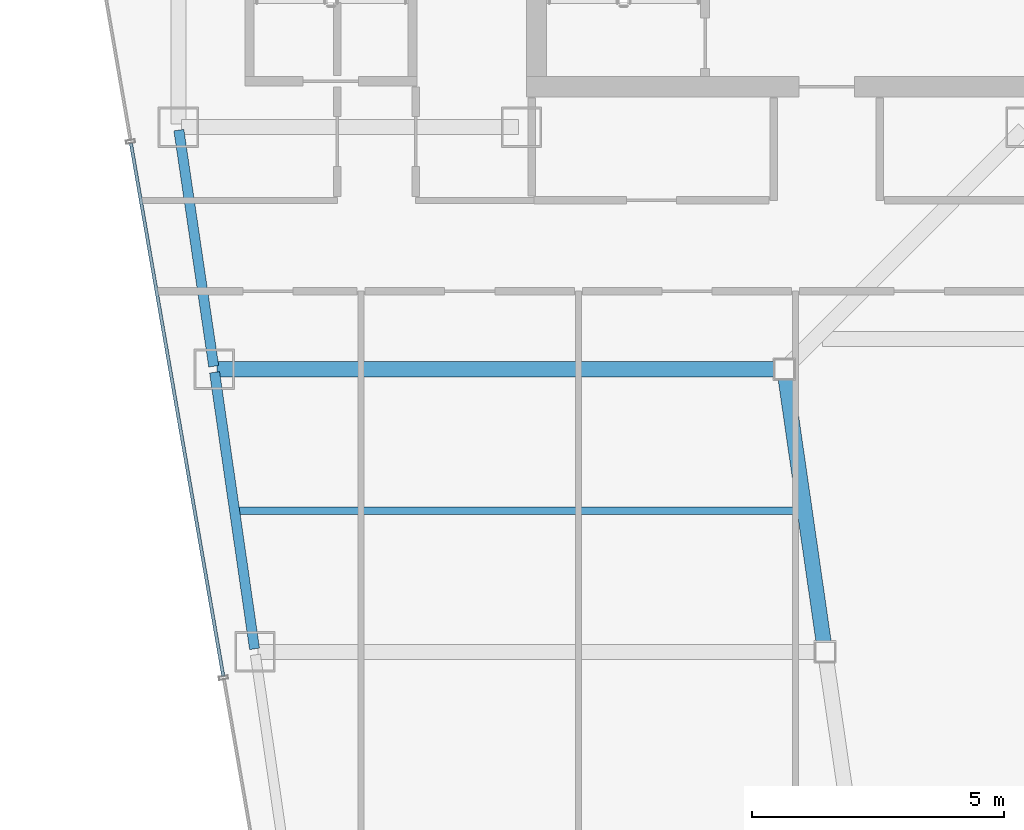
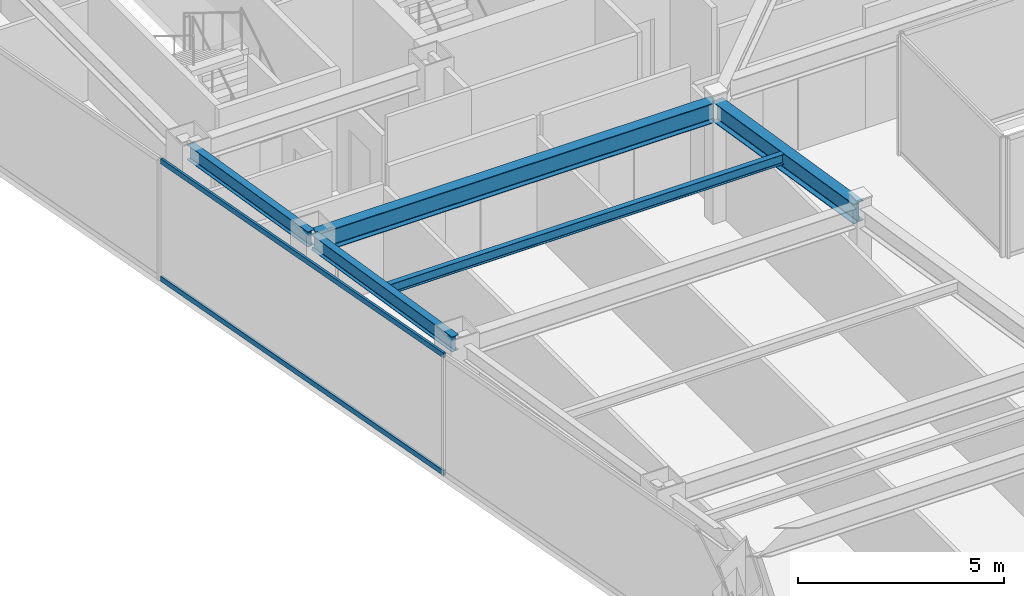
# One storey, part 7 of 33: 5 beams, 2 members, 1 element without a shape of its own.
"""IFC4 building model written with IfcOpenShell, lengths in metres."""

from ifc_helpers import new_model, si_unit, direction, frame, origin, origin_2d, place, context, subcontext, project, spatial, hollow_rectangle, i_section, extrude, material, material_profile, profile_set, type_object, element, aggregate, save


model = new_model("IFC4")

# Units and contexts
model_context = context("Model", 3, precision=1e-05, world=origin(), true_north=direction((0.0, 1.0)))
body_context = subcontext(model_context, "Body", "Model", "MODEL_VIEW")
ifc_project = project(units=[si_unit("LENGTHUNIT", "METRE"), si_unit("AREAUNIT", "SQUARE_METRE"), si_unit("VOLUMEUNIT", "CUBIC_METRE"), si_unit("PLANEANGLEUNIT", "RADIAN"), si_unit("MASSUNIT", "GRAM", prefix="KILO")], contexts=[model_context])

# Site, building, storey
site_placement = place(None, origin())
site = spatial("IfcSite", under=ifc_project, at=site_placement, CompositionType="ELEMENT")
building_placement = place(site_placement, origin())
building = spatial("IfcBuilding", under=site, at=building_placement, Name="Saevonmaru Cultural Tower", CompositionType="ELEMENT")
storey_placement = place(building_placement, frame((0.0, 0.0, 234.39990234375)))
storey = spatial("IfcBuildingStorey", under=building, at=storey_placement, Name="L54", CompositionType="ELEMENT", Elevation=234.39990234375)

# Beams
ifc_material_1 = material(Name="Steel SM355", Category="steel")
ifc_material_profile_1 = material_profile(ifc_material_1, i_section(OverallWidth=0.300048828125, OverallDepth=0.587890625, WebThickness=0.011962890625, FlangeThickness=0.02001953125, FilletRadius=0.02392578125, at=origin_2d()), Name="H-588x300x12x20")
ifc_profile_set_1 = profile_set([ifc_material_profile_1], Name="Steel SM355")
beam_type_1 = type_object("IfcBeamType", Name="BM-G-H588", PredefinedType="BEAM", material=ifc_profile_set_1)
beam_1_placement = place(storey_placement, frame((19.6083984375, 32.059326171875, 3.256103515625), z_axis=(-0.142964121327, 0.989727871697, 0.0), x_axis=(-0.989727871697, -0.142964121327, 0.0)))
element("IfcBeam", 1, at=beam_1_placement, inside=storey, type_object=beam_type_1, Name="L54 West Atrium Girder 3", PredefinedType="BEAM", context=body_context, shape_type="SweptSolid", body=[
    extrude(i_section(OverallWidth=0.300048828125, OverallDepth=0.587890625, WebThickness=0.011962890625, FlangeThickness=0.02001953125, FilletRadius=0.02392578125, at=origin_2d()), origin(), (0.0, 0.0, 1.0), 5.5380859375),
])
beam_2_placement = place(storey_placement, frame((7.568115234375, 37.60009765625, 3.256103515625), z_axis=(1.0, 0.0, 0.0), x_axis=(0.0, 1.0, 0.0)))
element("IfcBeam", 2, at=beam_2_placement, inside=storey, type_object=beam_type_1, Name="L54 West Wing Transverse Girder 4", PredefinedType="BEAM", context=body_context, shape_type="SweptSolid", body=[
    extrude(i_section(OverallWidth=0.300048828125, OverallDepth=0.587890625, WebThickness=0.011962890625, FlangeThickness=0.02001953125, FilletRadius=0.02392578125, at=origin_2d()), origin(), (0.0, 0.0, 1.0), 11.179931640625),
])
ifc_material_profile_2 = material_profile(ifc_material_1, i_section(OverallWidth=0.14990234375, OverallDepth=0.300048828125, WebThickness=0.006591796875, FlangeThickness=0.009033203125, FilletRadius=0.012939453125, at=origin_2d()), Name="H-300x150x6.5x9")
ifc_profile_set_2 = profile_set([ifc_material_profile_2], Name="Steel SM355")
beam_type_2 = type_object("IfcBeamType", Name="BM-J-H300", PredefinedType="JOIST", material=ifc_profile_set_2)
beam_3_placement = place(storey_placement, frame((7.972412109375, 34.800048828125, 3.400146484375), z_axis=(1.0, 0.0, 0.0), x_axis=(0.0, 1.0, 0.0)))
element("IfcBeam", 3, at=beam_3_placement, inside=storey, type_object=beam_type_2, Name="L54 West Wing Floor Joist 3", PredefinedType="JOIST", context=body_context, shape_type="SweptSolid", body=[
    extrude(i_section(OverallWidth=0.14990234375, OverallDepth=0.300048828125, WebThickness=0.006591796875, FlangeThickness=0.009033203125, FilletRadius=0.012939453125, at=origin_2d()), origin(), (0.0, 0.0, 1.0), 11.08203125),
])
ifc_material_profile_3 = material_profile(ifc_material_1, i_section(OverallWidth=0.199951171875, OverallDepth=0.449951171875, WebThickness=0.009033203125, FlangeThickness=0.013916015625, FilletRadius=0.01806640625, at=origin_2d()), Name="H-450x200x9x14")
ifc_profile_set_3 = profile_set([ifc_material_profile_3], Name="Steel SM355")
beam_type_3 = type_object("IfcBeamType", Name="BM-SP-H450", PredefinedType="SPANDREL", material=ifc_profile_set_3)
beam_4_placement = place(storey_placement, frame((8.308349609375, 32.059326171875, 3.3251953125), z_axis=(-0.142964121327, 0.989727871697, 0.0), x_axis=(-0.989727871697, -0.142964121327, 0.0)))
element("IfcBeam", 4, at=beam_4_placement, inside=storey, type_object=beam_type_3, Name="L54 West Splayed Spandrel 3", PredefinedType="SPANDREL", context=body_context, shape_type="SweptSolid", body=[
    extrude(i_section(OverallWidth=0.199951171875, OverallDepth=0.449951171875, WebThickness=0.009033203125, FlangeThickness=0.013916015625, FilletRadius=0.01806640625, at=origin_2d()), origin(), (0.0, 0.0, 1.0), 5.5380859375),
])
beam_5_placement = place(storey_placement, frame((7.499267578125, 37.659423828125, 3.3251953125), z_axis=(-0.145912860028, 0.989297446312, 0.0), x_axis=(-0.989297446312, -0.145912860028, 0.0)))
element("IfcBeam", 5, at=beam_5_placement, inside=storey, type_object=beam_type_3, Name="L54 West Splayed Spandrel 4", PredefinedType="SPANDREL", context=body_context, shape_type="SweptSolid", body=[
    extrude(i_section(OverallWidth=0.199951171875, OverallDepth=0.449951171875, WebThickness=0.009033203125, FlangeThickness=0.013916015625, FilletRadius=0.01806640625, at=origin_2d()), origin(), (0.0, 0.0, 1.0), 4.731689453125),
])

# Curtain wall, members
ifc_material_2 = material(Name="Satin Bronze Anodised Aluminium", Category="aluminium")
curtain_wall_type = type_object("IfcCurtainWallType", Name="CW-TYP-B", PredefinedType="NOTDEFINED", material=ifc_material_2)
curtain_wall_placement = place(storey_placement, origin())
curtain_wall = element("IfcCurtainWall", 6, at=curtain_wall_placement, inside=storey, type_object=curtain_wall_type, Name="L54 Unitised Curtain Wall E12", PredefinedType="NOTDEFINED")
ifc_material_profile_4 = material_profile(ifc_material_2, hollow_rectangle(XDim=0.06494140625, YDim=0.14990234375, WallThickness=0.00390625, at=origin_2d()), Name="ALU-TRAN-150x65x4")
ifc_profile_set_4 = profile_set([ifc_material_profile_4], Name="Satin Bronze Anodised Aluminium")
member_type = type_object("IfcMemberType", Name="TR-CW-150x65", PredefinedType="USERDEFINED", material=ifc_profile_set_4)
member_1_placement = place(storey_placement, frame((5.85791015625, 42.08154296875, 0.03271484375), z_axis=(0.170795272137, -0.985306538604, 0.0), x_axis=(0.985306538604, 0.170795272137, 0.0)))
member_1 = element("IfcMember", 7, at=member_1_placement, type_object=member_type, Name="CW-TW-L54-E12 transom 2.1", ObjectType="TRANSOM", PredefinedType="USERDEFINED", context=body_context, shape_type="SweptSolid", body=[
    extrude(hollow_rectangle(XDim=0.06494140625, YDim=0.14990234375, WallThickness=0.00390625, at=origin_2d()), origin(), (0.0, 0.0, 1.0), 10.720703125),
])
member_2_placement = place(storey_placement, frame((5.85791015625, 42.08154296875, 3.517578125), z_axis=(0.170795272137, -0.985306538604, 0.0), x_axis=(0.985306538604, 0.170795272137, 0.0)))
member_2 = element("IfcMember", 8, at=member_2_placement, type_object=member_type, Name="CW-TW-L54-E12 transom 2.2", ObjectType="TRANSOM", PredefinedType="USERDEFINED", context=body_context, shape_type="SweptSolid", body=[
    extrude(hollow_rectangle(XDim=0.06494140625, YDim=0.14990234375, WallThickness=0.00390625, at=origin_2d()), origin(), (0.0, 0.0, 1.0), 10.720703125),
])
aggregate(curtain_wall, [member_1, member_2])

save(model, "model.ifc")
